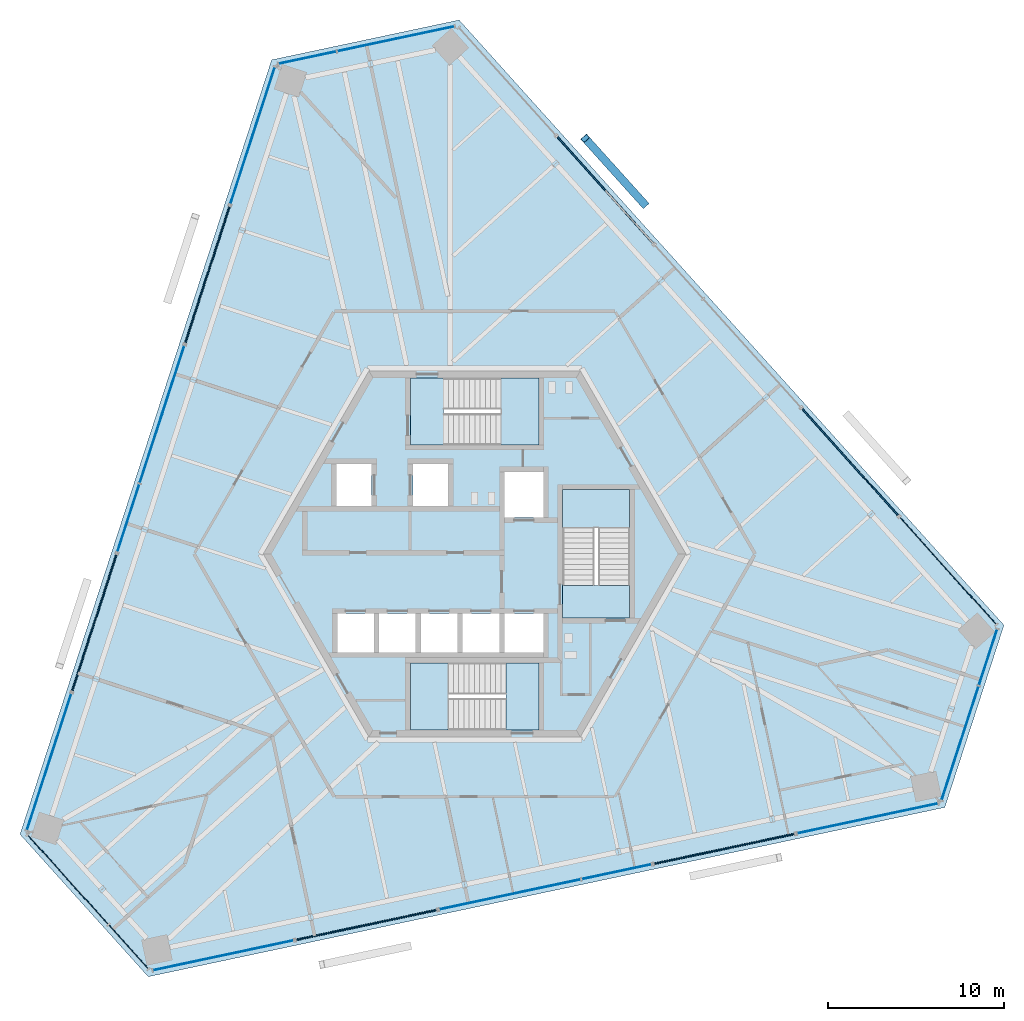
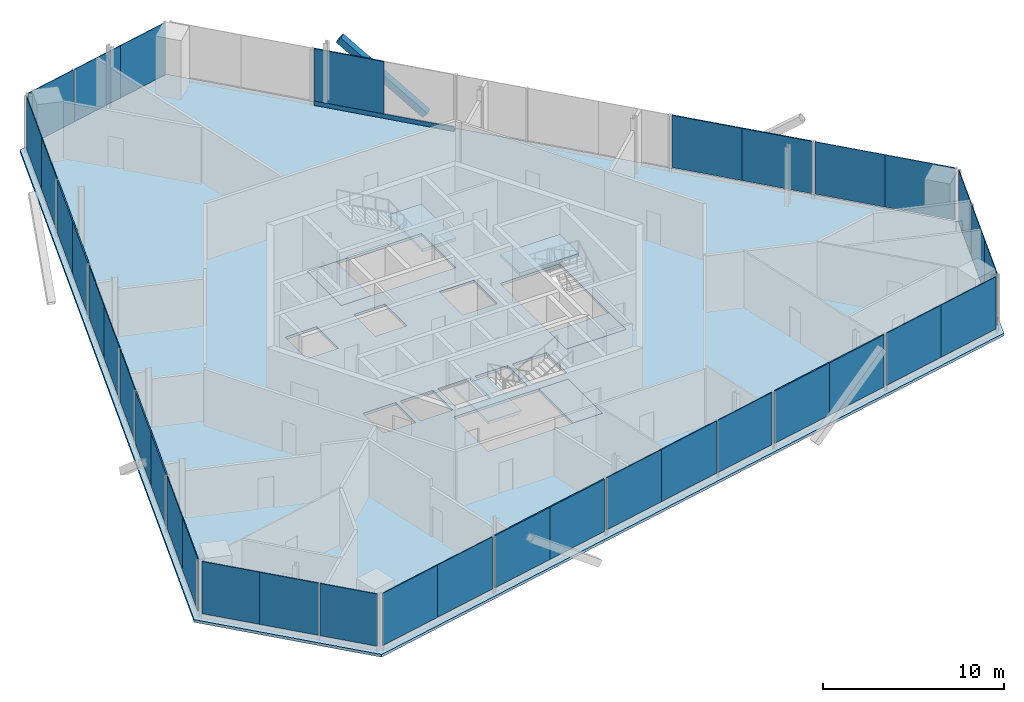
# One storey, part 8 of 14: 36 plates, 7 slabs, 2 members, 19 elements without a shape of their own.
"""IFC4 building model written with IfcOpenShell, lengths in metres."""

from ifc_helpers import new_model, si_unit, direction, frame, origin, origin_2d, place, context, subcontext, project, spatial, polyline, rectangle, hollow_rectangle, outline, extrude, source, transform, mapped, material, layer, layer_set, material_profile, profile_set, type_object, element, aggregate, save


model = new_model("IFC4")

# Units and contexts
model_context = context("Model", 3, precision=1e-05, world=origin(), true_north=direction((0.0, 1.0)))
body_context = subcontext(model_context, "Body", "Model", "MODEL_VIEW")
ifc_project = project(units=[si_unit("LENGTHUNIT", "METRE"), si_unit("AREAUNIT", "SQUARE_METRE"), si_unit("VOLUMEUNIT", "CUBIC_METRE"), si_unit("PLANEANGLEUNIT", "RADIAN"), si_unit("MASSUNIT", "GRAM", prefix="KILO")], contexts=[model_context])

# Site, building, storey
site_placement = place(None, origin())
site = spatial("IfcSite", under=ifc_project, at=site_placement, CompositionType="ELEMENT")
building_placement = place(site_placement, origin())
building = spatial("IfcBuilding", under=site, at=building_placement, Name="Triune Harvest Tower", CompositionType="ELEMENT")
storey_placement = place(building_placement, frame((0.0, 0.0, 284.699951171875)))
storey = spatial("IfcBuildingStorey", under=building, at=storey_placement, Name="L75", CompositionType="ELEMENT", Elevation=284.699951171875)

# Member
ifc_material_1 = material(Name="Steel ASTM A572 Gr 50", Category="steel")
ifc_material_profile_1 = material_profile(ifc_material_1, hollow_rectangle(XDim=0.449951171875, YDim=0.449951171875, WallThickness=0.02490234375, at=origin_2d()), Name="Box 450x450x25")
ifc_profile_set_1 = profile_set([ifc_material_profile_1], Name="Steel ASTM A572 Gr 50")
member_type_1 = type_object("IfcMemberType", Name="BR-4 Brace Box 450x450x25", PredefinedType="BRACE", material=ifc_profile_set_1)
shared_shape_1 = source(origin(), body_context, "Body", "SweptSolid", [
    extrude(hollow_rectangle(XDim=0.449951171875, YDim=0.449951171875, WallThickness=0.02490234375, at=origin_2d()), origin(), (0.0, 0.0, 1.0), 6.4326171875),
])
member_1_placement = place(storey_placement, frame((9.650390625, 19.8515625, 0.0), z_axis=(-0.524030950919, 0.581986716984, 0.621838422529), x_axis=(-0.743139899984, -0.669136076633, 0.0)))
element("IfcMember", 1, at=member_1_placement, inside=storey, type_object=member_type_1, Name="brace/B7-F1/d1/8", PredefinedType="BRACE", context=body_context, shape_type="MappedRepresentation", body=[
    mapped(shared_shape_1, transform((0.0, 0.0, 0.0), scale=1.0)),
])

# Curtain wall, member
ifc_material_2 = material(Name="Aluminium bronze anodised", Category="aluminium")
curtain_wall_type_1 = type_object("IfcCurtainWallType", Name="CW-9 Sky lobby tall glazing wall with insulated spandrel infill", PredefinedType="NOTDEFINED", material=ifc_material_2)
curtain_wall_1_placement = place(storey_placement, origin())
curtain_wall_1 = element("IfcCurtainWall", 2, at=curtain_wall_1_placement, inside=storey, type_object=curtain_wall_type_1, Name="CW-9 B7-F1 L75 run 3001")
ifc_material_3 = material(Name="Aluminium bronze anodised", Category="aluminium")
ifc_material_profile_2 = material_profile(ifc_material_3, rectangle(XDim=0.10009765625, YDim=0.300048828125, at=origin_2d()), Name="TR-4 transom 100 x 300")
ifc_profile_set_2 = profile_set([ifc_material_profile_2], Name="Aluminium bronze anodised")
member_type_2 = type_object("IfcMemberType", Name="TR-4 transom 100 x 300", PredefinedType="USERDEFINED", material=ifc_profile_set_2)
shared_shape_2 = source(origin(), body_context, "Body", "SweptSolid", [
    extrude(rectangle(XDim=0.10009765625, YDim=0.300048828125, at=origin_2d()), origin(), (0.0, 0.0, 1.0), 8.13134765625),
])
member_2_placement = place(storey_placement, frame((10.1337890625, 17.6337890625, 0.150146484375), z_axis=(-0.669148837267, 0.743128409889, 0.0), x_axis=(-0.743128409889, -0.669148837267, 0.0)))
member_2 = element("IfcMember", 3, at=member_2_placement, type_object=member_type_2, Name="CW-9 transom B7-F1 3001.1", ObjectType="TRANSOM", PredefinedType="USERDEFINED", context=body_context, shape_type="MappedRepresentation", body=[
    mapped(shared_shape_2, transform((0.0, 0.0, 0.0), scale=1.0)),
])

# Slab
ifc_material_4 = material(Name="Concrete 40 MPa", Category="concrete")
ifc_layer_1 = layer(ifc_material_4, 0.179931640625)
ifc_layer_set_1 = layer_set([ifc_layer_1], Name="Concrete 40 MPa")
slab_type_1 = type_object("IfcSlabType", Name="SL-2 Composite floor slab 180", PredefinedType="FLOOR", material=ifc_layer_set_1)
shared_shape_3 = source(origin(), body_context, "Body", "SweptSolid", [
    extrude(outline(polyline([(30.05810546875, -4.04638671875), (-0.88232421875, 30.31640625), (-11.524658203125, 28.054443359375), (-25.813720703125, -15.922607421875), (-18.533447265625, -24.0078125), (26.696044921875, -14.39404296875), (30.05810546875, -4.04638671875)]), holes=[polyline([(-5.72509765625, -5.590087890625), (-5.72509765625, -3.389892578125), (-7.800048828125, -3.389892578125), (-7.800048828125, -5.590087890625), (-5.72509765625, -5.590087890625)]), polyline([(-3.35009765625, -5.590087890625), (-3.35009765625, -3.389892578125), (-5.425048828125, -3.389892578125), (-5.425048828125, -5.590087890625), (-3.35009765625, -5.590087890625)]), polyline([(-0.97509765625, -5.590087890625), (-0.97509765625, -3.389892578125), (-3.050048828125, -3.389892578125), (-3.050048828125, -5.590087890625), (-0.97509765625, -5.590087890625)]), polyline([(1.39990234375, -5.590087890625), (1.39990234375, -3.389892578125), (-0.675048828125, -3.389892578125), (-0.675048828125, -5.590087890625), (1.39990234375, -5.590087890625)]), polyline([(3.89990234375, 2.06005859375), (3.89990234375, 4.659912109375), (1.699951171875, 4.659912109375), (1.699951171875, 2.06005859375), (3.89990234375, 2.06005859375)]), polyline([(3.89990234375, -5.590087890625), (3.89990234375, -3.389892578125), (1.699951171875, -3.389892578125), (1.699951171875, -5.590087890625), (3.89990234375, -5.590087890625)]), polyline([(-5.85009765625, 2.7099609375), (-5.85009765625, 5.110107421875), (-7.85009765625, 5.110107421875), (-7.85009765625, 2.7099609375), (-5.85009765625, 2.7099609375)]), polyline([(-1.5, 2.7099609375), (-1.5, 5.110107421875), (-3.5, 5.110107421875), (-3.5, 2.7099609375), (-1.5, 2.7099609375)]), polyline([(3.64990234375, 6.18994140625), (3.64990234375, 9.989990234375), (-3.64990234375, 9.989990234375), (-3.64990234375, 6.18994140625), (3.64990234375, 6.18994140625)]), polyline([(3.64990234375, -9.989990234375), (3.64990234375, -6.18994140625), (-3.64990234375, -6.18994140625), (-3.64990234375, -9.989990234375), (3.64990234375, -9.989990234375)]), polyline([(8.800048828125, -3.64990234375), (8.800048828125, 3.64990234375), (5.0, 3.64990234375), (5.0, -3.64990234375), (8.800048828125, -3.64990234375)])]), origin(), (0.0, 0.0, 1.0), 0.179931640625),
])
slab_1_placement = place(storey_placement, frame((0.0, 0.0, -0.179931640625)))
element("IfcSlab", 4, at=slab_1_placement, inside=storey, type_object=slab_type_1, Name="slab/L75/1", PredefinedType="FLOOR", context=body_context, shape_type="MappedRepresentation", body=[
    mapped(shared_shape_3, transform((0.0, 0.0, 0.0), scale=1.0)),
])

# Stair, slabs
ifc_material_5 = material(Name="Concrete 40 MPa", Category="concrete")
stair_type = type_object("IfcStairType", Name="Exit stair 1800 half turn", PredefinedType="HALF_TURN_STAIR", material=ifc_material_5)
stair_1_placement = place(storey_placement, origin())
stair_1 = element("IfcStair", 5, at=stair_1_placement, inside=storey, type_object=stair_type, Name="Exit stair north", PredefinedType="HALF_TURN_STAIR")
ifc_material_6 = material(Name="Concrete 40 MPa", Category="concrete")
ifc_layer_2 = layer(ifc_material_6, 0.199951171875)
ifc_layer_set_2 = layer_set([ifc_layer_2], Name="Concrete 40 MPa")
slab_type_2 = type_object("IfcSlabType", Name="Stair landing 200", PredefinedType="LANDING", material=ifc_layer_set_2)
shared_shape_4 = source(origin(), body_context, "Body", "SweptSolid", [
    extrude(outline(polyline([(1.510009765625, 6.18994140625), (3.64990234375, 6.18994140625), (3.64990234375, 9.989990234375), (1.510009765625, 9.989990234375), (1.510009765625, 6.18994140625)])), origin(), (0.0, 0.0, 1.0), 0.199951171875),
])
slab_2_placement = place(storey_placement, frame((0.0, 0.0, 1.800048828125)))
slab_2 = element("IfcSlab", 6, at=slab_2_placement, type_object=slab_type_2, Name="ST-1 landing 2", PredefinedType="LANDING", context=body_context, shape_type="MappedRepresentation", body=[
    mapped(shared_shape_4, transform((0.0, 0.0, 0.0), scale=1.0)),
])
shared_shape_5 = source(origin(), body_context, "Body", "SweptSolid", [
    extrude(outline(polyline([(-3.64990234375, 6.18994140625), (-1.780029296875, 6.18994140625), (-1.780029296875, 9.989990234375), (-3.64990234375, 9.989990234375), (-3.64990234375, 6.18994140625)])), origin(), (0.0, 0.0, 1.0), 0.199951171875),
])
slab_3_placement = place(storey_placement, frame((0.0, 0.0, -0.199951171875)))
slab_3 = element("IfcSlab", 7, at=slab_3_placement, type_object=slab_type_2, Name="ST-1 landing 1", PredefinedType="LANDING", context=body_context, shape_type="MappedRepresentation", body=[
    mapped(shared_shape_5, transform((0.0, 0.0, 0.0), scale=1.0)),
])
aggregate(stair_1, [slab_3, slab_2])

stair_2_placement = place(storey_placement, origin())
stair_2 = element("IfcStair", 8, at=stair_2_placement, inside=storey, type_object=stair_type, Name="Exit stair south", PredefinedType="HALF_TURN_STAIR")
shared_shape_6 = source(origin(), body_context, "Body", "SweptSolid", [
    extrude(outline(polyline([(-1.510009765625, -6.18994140625), (-3.64990234375, -6.18994140625), (-3.64990234375, -9.989990234375), (-1.510009765625, -9.989990234375), (-1.510009765625, -6.18994140625)])), origin(), (0.0, 0.0, 1.0), 0.199951171875),
])
slab_4_placement = place(storey_placement, frame((0.0, 0.0, 1.800048828125)))
slab_4 = element("IfcSlab", 9, at=slab_4_placement, type_object=slab_type_2, Name="ST-2 landing 2", PredefinedType="LANDING", context=body_context, shape_type="MappedRepresentation", body=[
    mapped(shared_shape_6, transform((0.0, 0.0, 0.0), scale=1.0)),
])
shared_shape_7 = source(origin(), body_context, "Body", "SweptSolid", [
    extrude(outline(polyline([(3.64990234375, -6.18994140625), (1.780029296875, -6.18994140625), (1.780029296875, -9.989990234375), (3.64990234375, -9.989990234375), (3.64990234375, -6.18994140625)])), origin(), (0.0, 0.0, 1.0), 0.199951171875),
])
slab_5_placement = place(storey_placement, frame((0.0, 0.0, -0.199951171875)))
slab_5 = element("IfcSlab", 10, at=slab_5_placement, type_object=slab_type_2, Name="ST-2 landing 1", PredefinedType="LANDING", context=body_context, shape_type="MappedRepresentation", body=[
    mapped(shared_shape_7, transform((0.0, 0.0, 0.0), scale=1.0)),
])
aggregate(stair_2, [slab_5, slab_4])

stair_3_placement = place(storey_placement, origin())
stair_3 = element("IfcStair", 11, at=stair_3_placement, inside=storey, type_object=stair_type, Name="Exit stair east", PredefinedType="HALF_TURN_STAIR")
shared_shape_8 = source(origin(), body_context, "Body", "SweptSolid", [
    extrude(outline(polyline([(8.800048828125, 1.510009765625), (8.800048828125, 3.64990234375), (5.0, 3.64990234375), (5.0, 1.510009765625), (8.800048828125, 1.510009765625)])), origin(), (0.0, 0.0, 1.0), 0.199951171875),
])
slab_6_placement = place(storey_placement, frame((0.0, 0.0, 1.800048828125)))
slab_6 = element("IfcSlab", 12, at=slab_6_placement, type_object=slab_type_2, Name="ST-3 landing 2", PredefinedType="LANDING", context=body_context, shape_type="MappedRepresentation", body=[
    mapped(shared_shape_8, transform((0.0, 0.0, 0.0), scale=1.0)),
])
shared_shape_9 = source(origin(), body_context, "Body", "SweptSolid", [
    extrude(outline(polyline([(8.800048828125, -3.64990234375), (8.800048828125, -1.780029296875), (5.0, -1.780029296875), (5.0, -3.64990234375), (8.800048828125, -3.64990234375)])), origin(), (0.0, 0.0, 1.0), 0.199951171875),
])
slab_7_placement = place(storey_placement, frame((0.0, 0.0, -0.199951171875)))
slab_7 = element("IfcSlab", 13, at=slab_7_placement, type_object=slab_type_2, Name="ST-3 landing 1", PredefinedType="LANDING", context=body_context, shape_type="MappedRepresentation", body=[
    mapped(shared_shape_9, transform((0.0, 0.0, 0.0), scale=1.0)),
])
aggregate(stair_3, [slab_7, slab_6])

# Curtain wall, plates
ifc_material_7 = material(Name="Aluminium bronze anodised", Category="aluminium")
curtain_wall_type_2 = type_object("IfcCurtainWallType", Name="CW-4 Sky lobby tall glazing wall", PredefinedType="NOTDEFINED", material=ifc_material_7)
curtain_wall_2_placement = place(storey_placement, origin())
curtain_wall_2 = element("IfcCurtainWall", 14, at=curtain_wall_2_placement, inside=storey, type_object=curtain_wall_type_2, Name="CW-4 B7-F1 L75 run 1")
ifc_material_8 = material(Name="Glass", Category="glass")
ifc_layer_3 = layer(ifc_material_8, 0.0439453125)
ifc_layer_set_3 = layer_set([ifc_layer_3], Name="Glass")
plate_type_1 = type_object("IfcPlateType", Name="GL-4 panel 44", PredefinedType="CURTAIN_PANEL", material=ifc_layer_set_3)
shared_shape_10 = source(origin(), body_context, "Body", "SweptSolid", [
    extrude(rectangle(XDim=4.065673828125, YDim=0.0439453125, at=origin_2d()), origin(), (0.0, 0.0, 1.0), 3.52001953125),
])
plate_1_placement = place(storey_placement, frame((28.23876953125, -2.473876953125, 0.300048828125), z_axis=(0.0, 0.0, 1.0), x_axis=(-0.66912643172, 0.743148584318, 0.0)))
plate_1 = element("IfcPlate", 15, at=plate_1_placement, type_object=plate_type_1, Name="CW-4 panel B7-F1 1.1", PredefinedType="CURTAIN_PANEL", context=body_context, shape_type="MappedRepresentation", body=[
    mapped(shared_shape_10, transform((0.0, 0.0, 0.0), scale=1.0)),
])
plate_2_placement = place(storey_placement, frame((25.51806640625, 0.54736328125, 0.300048828125), z_axis=(0.0, 0.0, 1.0), x_axis=(-0.66912643172, 0.743148584318, 0.0)))
plate_2 = element("IfcPlate", 16, at=plate_2_placement, type_object=plate_type_1, Name="CW-4 panel B7-F1 1.2", PredefinedType="CURTAIN_PANEL", context=body_context, shape_type="MappedRepresentation", body=[
    mapped(shared_shape_10, transform((0.0, 0.0, 0.0), scale=1.0)),
])
aggregate(curtain_wall_2, [plate_1, plate_2])

# Curtain wall, plate
curtain_wall_3_placement = place(storey_placement, origin())
curtain_wall_3 = element("IfcCurtainWall", 17, at=curtain_wall_3_placement, inside=storey, type_object=curtain_wall_type_2, Name="CW-4 B7-F3 L75 run 2001")
plate_3_placement = place(storey_placement, frame((-17.113525390625, 9.8828125, 0.300048828125), z_axis=(0.0, 0.0, 1.0), x_axis=(-0.309023862696, -0.951054284615, 0.0)))
plate_3 = element("IfcPlate", 18, at=plate_3_placement, type_object=plate_type_1, Name="CW-4 panel B7-F3 2001.1", PredefinedType="CURTAIN_PANEL", context=body_context, shape_type="MappedRepresentation", body=[
    mapped(shared_shape_10, transform((0.0, 0.0, 0.0), scale=1.0)),
])

# Curtain wall, plates
curtain_wall_4_placement = place(storey_placement, origin())
curtain_wall_4 = element("IfcCurtainWall", 19, at=curtain_wall_4_placement, inside=storey, type_object=curtain_wall_type_1, Name="CW-9 B7-F1 L75 run 1001")
ifc_material_9 = material(Name="Insulated spandrel panel, bronze aluminium pan", Category="aluminium")
ifc_layer_4 = layer(ifc_material_9, 0.080078125)
ifc_layer_set_4 = layer_set([ifc_layer_4], Name="Insulated spandrel panel, bronze aluminium pan")
plate_type_2 = type_object("IfcPlateType", Name="SP-1 insulated spandrel panel 80", PredefinedType="CURTAIN_PANEL", material=ifc_layer_set_4)
shared_shape_11 = source(origin(), body_context, "Body", "SweptSolid", [
    extrude(rectangle(XDim=4.065673828125, YDim=0.080078125, at=origin_2d()), origin(), (0.0, 0.0, 1.0), 3.52001953125),
])
plate_4_placement = place(storey_placement, frame((22.67724609375, 3.70263671875, 0.300048828125), z_axis=(0.0, 0.0, 1.0), x_axis=(-0.669141528583, 0.743134990917, 0.0)))
plate_4 = element("IfcPlate", 20, at=plate_4_placement, type_object=plate_type_2, Name="CW-9 panel B7-F1 1001.1", PredefinedType="CURTAIN_PANEL", context=body_context, shape_type="MappedRepresentation", body=[
    mapped(shared_shape_11, transform((0.0, 0.0, 0.0), scale=1.0)),
])
plate_5_placement = place(storey_placement, frame((19.95654296875, 6.72412109375, 0.300048828125), z_axis=(0.0, 0.0, 1.0), x_axis=(-0.669141528583, 0.743134990917, 0.0)))
plate_5 = element("IfcPlate", 21, at=plate_5_placement, type_object=plate_type_2, Name="CW-9 panel B7-F1 1001.2", PredefinedType="CURTAIN_PANEL", context=body_context, shape_type="MappedRepresentation", body=[
    mapped(shared_shape_11, transform((0.0, 0.0, 0.0), scale=1.0)),
])
aggregate(curtain_wall_4, [plate_4, plate_5])

# Plate
plate_6_placement = place(storey_placement, frame((6.052734375, 22.165771484375, 0.300048828125), z_axis=(0.0, 0.0, 1.0), x_axis=(-0.669141528583, 0.743134990917, 0.0)))
plate_6 = element("IfcPlate", 22, at=plate_6_placement, type_object=plate_type_2, Name="CW-9 panel B7-F1 3001.2", PredefinedType="CURTAIN_PANEL", context=body_context, shape_type="MappedRepresentation", body=[
    mapped(shared_shape_11, transform((0.0, 0.0, 0.0), scale=1.0)),
])

aggregate(curtain_wall_1, [member_2, plate_6])

# Curtain wall, plates
curtain_wall_5_placement = place(storey_placement, origin())
curtain_wall_5 = element("IfcCurtainWall", 23, at=curtain_wall_5_placement, inside=storey, type_object=curtain_wall_type_1, Name="CW-9 B7-F3 L75 run 1001")
plate_7_placement = place(storey_placement, frame((-14.545166015625, 17.78759765625, 0.300048828125), z_axis=(0.0, 0.0, 1.0), x_axis=(-0.309014250382, -0.951057407868, 0.0)))
plate_7 = element("IfcPlate", 24, at=plate_7_placement, type_object=plate_type_2, Name="CW-9 panel B7-F3 1001.1", PredefinedType="CURTAIN_PANEL", context=body_context, shape_type="MappedRepresentation", body=[
    mapped(shared_shape_11, transform((0.0, 0.0, 0.0), scale=1.0)),
])
plate_8_placement = place(storey_placement, frame((-15.801513671875, 13.9208984375, 0.300048828125), z_axis=(0.0, 0.0, 1.0), x_axis=(-0.309014250382, -0.951057407868, 0.0)))
plate_8 = element("IfcPlate", 25, at=plate_8_placement, type_object=plate_type_2, Name="CW-9 panel B7-F3 1001.2", PredefinedType="CURTAIN_PANEL", context=body_context, shape_type="MappedRepresentation", body=[
    mapped(shared_shape_11, transform((0.0, 0.0, 0.0), scale=1.0)),
])
aggregate(curtain_wall_5, [plate_7, plate_8])

curtain_wall_6_placement = place(storey_placement, origin())
curtain_wall_6 = element("IfcCurtainWall", 26, at=curtain_wall_6_placement, inside=storey, type_object=curtain_wall_type_1, Name="CW-9 B7-F3 L75 run 3001")
plate_9_placement = place(storey_placement, frame((-20.96630859375, -1.974365234375, 0.300048828125), z_axis=(0.0, 0.0, 1.0), x_axis=(-0.309014250382, -0.951057407868, 0.0)))
plate_9 = element("IfcPlate", 27, at=plate_9_placement, type_object=plate_type_2, Name="CW-9 panel B7-F3 3001.1", PredefinedType="CURTAIN_PANEL", context=body_context, shape_type="MappedRepresentation", body=[
    mapped(shared_shape_11, transform((0.0, 0.0, 0.0), scale=1.0)),
])
plate_10_placement = place(storey_placement, frame((-22.22265625, -5.841064453125, 0.300048828125), z_axis=(0.0, 0.0, 1.0), x_axis=(-0.309014250382, -0.951057407868, 0.0)))
plate_10 = element("IfcPlate", 28, at=plate_10_placement, type_object=plate_type_2, Name="CW-9 panel B7-F3 3001.2", PredefinedType="CURTAIN_PANEL", context=body_context, shape_type="MappedRepresentation", body=[
    mapped(shared_shape_11, transform((0.0, 0.0, 0.0), scale=1.0)),
])
aggregate(curtain_wall_6, [plate_9, plate_10])

curtain_wall_7_placement = place(storey_placement, origin())
curtain_wall_7 = element("IfcCurtainWall", 29, at=curtain_wall_7_placement, inside=storey, type_object=curtain_wall_type_1, Name="CW-9 B7-F5 L75 run 1001")
plate_11_placement = place(storey_placement, frame((-8.132080078125, -21.490234375, 0.300048828125), z_axis=(0.0, 0.0, 1.0), x_axis=(0.978149156661, 0.207904370622, 0.0)))
plate_11 = element("IfcPlate", 30, at=plate_11_placement, type_object=plate_type_2, Name="CW-9 panel B7-F5 1001.1", PredefinedType="CURTAIN_PANEL", context=body_context, shape_type="MappedRepresentation", body=[
    mapped(shared_shape_11, transform((0.0, 0.0, 0.0), scale=1.0)),
])
plate_12_placement = place(storey_placement, frame((-4.155029296875, -20.64501953125, 0.300048828125), z_axis=(0.0, 0.0, 1.0), x_axis=(0.978149156661, 0.207904370622, 0.0)))
plate_12 = element("IfcPlate", 31, at=plate_12_placement, type_object=plate_type_2, Name="CW-9 panel B7-F5 1001.2", PredefinedType="CURTAIN_PANEL", context=body_context, shape_type="MappedRepresentation", body=[
    mapped(shared_shape_11, transform((0.0, 0.0, 0.0), scale=1.0)),
])
aggregate(curtain_wall_7, [plate_11, plate_12])

curtain_wall_8_placement = place(storey_placement, origin())
curtain_wall_8 = element("IfcCurtainWall", 32, at=curtain_wall_8_placement, inside=storey, type_object=curtain_wall_type_1, Name="CW-9 B7-F5 L75 run 3001")
plate_13_placement = place(storey_placement, frame((12.19287109375, -17.170166015625, 0.300048828125), z_axis=(0.0, 0.0, 1.0), x_axis=(0.978149156661, 0.207904370622, 0.0)))
plate_13 = element("IfcPlate", 33, at=plate_13_placement, type_object=plate_type_2, Name="CW-9 panel B7-F5 3001.1", PredefinedType="CURTAIN_PANEL", context=body_context, shape_type="MappedRepresentation", body=[
    mapped(shared_shape_11, transform((0.0, 0.0, 0.0), scale=1.0)),
])
plate_14_placement = place(storey_placement, frame((16.169921875, -16.32470703125, 0.300048828125), z_axis=(0.0, 0.0, 1.0), x_axis=(0.978149156661, 0.207904370622, 0.0)))
plate_14 = element("IfcPlate", 34, at=plate_14_placement, type_object=plate_type_2, Name="CW-9 panel B7-F5 3001.2", PredefinedType="CURTAIN_PANEL", context=body_context, shape_type="MappedRepresentation", body=[
    mapped(shared_shape_11, transform((0.0, 0.0, 0.0), scale=1.0)),
])
aggregate(curtain_wall_8, [plate_13, plate_14])

# Plate
shared_shape_12 = source(origin(), body_context, "Body", "SweptSolid", [
    extrude(rectangle(XDim=4.11083984375, YDim=0.0439453125, at=origin_2d()), origin(), (0.0, 0.0, 1.0), 3.52001953125),
])
plate_15_placement = place(storey_placement, frame((-18.376953125, 5.99462890625, 0.300048828125), z_axis=(0.0, 0.0, 1.0), x_axis=(-0.309023862696, -0.951054284615, 0.0)))
plate_15 = element("IfcPlate", 35, at=plate_15_placement, type_object=plate_type_1, Name="CW-4 panel B7-F3 2001.2", PredefinedType="CURTAIN_PANEL", context=body_context, shape_type="MappedRepresentation", body=[
    mapped(shared_shape_12, transform((0.0, 0.0, 0.0), scale=1.0)),
])

# Curtain wall, plate
curtain_wall_9_placement = place(storey_placement, origin())
curtain_wall_9 = element("IfcCurtainWall", 36, at=curtain_wall_9_placement, inside=storey, type_object=curtain_wall_type_2, Name="CW-4 B7-F5 L75 run 2001")
plate_16_placement = place(storey_placement, frame((3.996826171875, -18.912109375, 0.300048828125), z_axis=(0.0, 0.0, 1.0), x_axis=(0.978146414344, 0.207917272266, 0.0)))
plate_16 = element("IfcPlate", 37, at=plate_16_placement, type_object=plate_type_1, Name="CW-4 panel B7-F5 2001.2", PredefinedType="CURTAIN_PANEL", context=body_context, shape_type="MappedRepresentation", body=[
    mapped(shared_shape_12, transform((0.0, 0.0, 0.0), scale=1.0)),
])

# Plate
shared_shape_13 = source(origin(), body_context, "Body", "SweptSolid", [
    extrude(rectangle(XDim=4.020751953125, YDim=0.0439453125, at=origin_2d()), origin(), (0.0, 0.0, 1.0), 3.52001953125),
])
plate_17_placement = place(storey_placement, frame((-19.6611328125, 2.042236328125, 0.300048828125), z_axis=(0.0, 0.0, 1.0), x_axis=(-0.309023862696, -0.951054284615, 0.0)))
plate_17 = element("IfcPlate", 38, at=plate_17_placement, type_object=plate_type_1, Name="CW-4 panel B7-F3 2001.3", PredefinedType="CURTAIN_PANEL", context=body_context, shape_type="MappedRepresentation", body=[
    mapped(shared_shape_13, transform((0.0, 0.0, 0.0), scale=1.0)),
])

aggregate(curtain_wall_3, [plate_3, plate_15, plate_17])

plate_18_placement = place(storey_placement, frame((8.06201171875, -18.048095703125, 0.300048828125), z_axis=(0.0, 0.0, 1.0), x_axis=(0.978146414344, 0.207917272266, 0.0)))
plate_18 = element("IfcPlate", 39, at=plate_18_placement, type_object=plate_type_1, Name="CW-4 panel B7-F5 2001.3", PredefinedType="CURTAIN_PANEL", context=body_context, shape_type="MappedRepresentation", body=[
    mapped(shared_shape_13, transform((0.0, 0.0, 0.0), scale=1.0)),
])

# Curtain wall, plate
curtain_wall_10_placement = place(storey_placement, origin())
curtain_wall_10 = element("IfcCurtainWall", 40, at=curtain_wall_10_placement, inside=storey, type_object=curtain_wall_type_2, Name="CW-4 B7-F2 L75 run 1")
shared_shape_14 = source(origin(), body_context, "Body", "SweptSolid", [
    extrude(rectangle(XDim=3.361328125, YDim=0.0439453125, at=origin_2d()), origin(), (0.0, 0.0, 1.0), 3.52001953125),
])
plate_19_placement = place(storey_placement, frame((-2.809326171875, 29.60009765625, 0.300048828125), z_axis=(0.0, 0.0, 1.0), x_axis=(-0.978149078297, -0.207904739307, 0.0)))
plate_19 = element("IfcPlate", 41, at=plate_19_placement, type_object=plate_type_1, Name="CW-4 panel B7-F2 1.1", PredefinedType="CURTAIN_PANEL", context=body_context, shape_type="MappedRepresentation", body=[
    mapped(shared_shape_14, transform((0.0, 0.0, 0.0), scale=1.0)),
])

curtain_wall_11_placement = place(storey_placement, origin())
curtain_wall_11 = element("IfcCurtainWall", 42, at=curtain_wall_11_placement, inside=storey, type_object=curtain_wall_type_2, Name="CW-4 B7-F6 L75 run 1")
plate_20_placement = place(storey_placement, frame((27.039306640625, -12.366943359375, 0.300048828125), z_axis=(0.0, 0.0, 1.0), x_axis=(0.309018882717, 0.951055902733, 0.0)))
plate_20 = element("IfcPlate", 43, at=plate_20_placement, type_object=plate_type_1, Name="CW-4 panel B7-F6 1.1", PredefinedType="CURTAIN_PANEL", context=body_context, shape_type="MappedRepresentation", body=[
    mapped(shared_shape_14, transform((0.0, 0.0, 0.0), scale=1.0)),
])

# Plate
shared_shape_15 = source(origin(), body_context, "Body", "SweptSolid", [
    extrude(rectangle(XDim=3.40625, YDim=0.0439453125, at=origin_2d()), origin(), (0.0, 0.0, 1.0), 3.52001953125),
])
plate_21_placement = place(storey_placement, frame((-6.119140625, 28.896728515625, 0.300048828125), z_axis=(0.0, 0.0, 1.0), x_axis=(-0.978149078297, -0.207904739307, 0.0)))
plate_21 = element("IfcPlate", 44, at=plate_21_placement, type_object=plate_type_1, Name="CW-4 panel B7-F2 1.2", PredefinedType="CURTAIN_PANEL", context=body_context, shape_type="MappedRepresentation", body=[
    mapped(shared_shape_15, transform((0.0, 0.0, 0.0), scale=1.0)),
])

# Curtain wall, plate
curtain_wall_12_placement = place(storey_placement, origin())
curtain_wall_12 = element("IfcCurtainWall", 45, at=curtain_wall_12_placement, inside=storey, type_object=curtain_wall_type_2, Name="CW-4 B7-F4 L75 run 1")
plate_22_placement = place(storey_placement, frame((-21.9658203125, -19.747802734375, 0.300048828125), z_axis=(0.0, 0.0, 1.0), x_axis=(0.669132031472, -0.743143542297, 0.0)))
plate_22 = element("IfcPlate", 46, at=plate_22_placement, type_object=plate_type_1, Name="CW-4 panel B7-F4 1.2", PredefinedType="CURTAIN_PANEL", context=body_context, shape_type="MappedRepresentation", body=[
    mapped(shared_shape_15, transform((0.0, 0.0, 0.0), scale=1.0)),
])

# Plate
plate_23_placement = place(storey_placement, frame((28.0849609375, -9.14892578125, 0.300048828125), z_axis=(0.0, 0.0, 1.0), x_axis=(0.309018882717, 0.951055902733, 0.0)))
plate_23 = element("IfcPlate", 47, at=plate_23_placement, type_object=plate_type_1, Name="CW-4 panel B7-F6 1.2", PredefinedType="CURTAIN_PANEL", context=body_context, shape_type="MappedRepresentation", body=[
    mapped(shared_shape_15, transform((0.0, 0.0, 0.0), scale=1.0)),
])

shared_shape_16 = source(origin(), body_context, "Body", "SweptSolid", [
    extrude(rectangle(XDim=3.316162109375, YDim=0.0439453125, at=origin_2d()), origin(), (0.0, 0.0, 1.0), 3.52001953125),
])
plate_24_placement = place(storey_placement, frame((-9.494873046875, 28.17919921875, 0.300048828125), z_axis=(0.0, 0.0, 1.0), x_axis=(-0.978149078297, -0.207904739307, 0.0)))
plate_24 = element("IfcPlate", 48, at=plate_24_placement, type_object=plate_type_1, Name="CW-4 panel B7-F2 1.3", PredefinedType="CURTAIN_PANEL", context=body_context, shape_type="MappedRepresentation", body=[
    mapped(shared_shape_16, transform((0.0, 0.0, 0.0), scale=1.0)),
])

aggregate(curtain_wall_10, [plate_19, plate_21, plate_24])

plate_25_placement = place(storey_placement, frame((-19.656494140625, -22.3125, 0.300048828125), z_axis=(0.0, 0.0, 1.0), x_axis=(0.669132031472, -0.743143542297, 0.0)))
plate_25 = element("IfcPlate", 49, at=plate_25_placement, type_object=plate_type_1, Name="CW-4 panel B7-F4 1.3", PredefinedType="CURTAIN_PANEL", context=body_context, shape_type="MappedRepresentation", body=[
    mapped(shared_shape_16, transform((0.0, 0.0, 0.0), scale=1.0)),
])

plate_26_placement = place(storey_placement, frame((29.1513671875, -5.86669921875, 0.300048828125), z_axis=(0.0, 0.0, 1.0), x_axis=(0.309018882717, 0.951055902733, 0.0)))
plate_26 = element("IfcPlate", 50, at=plate_26_placement, type_object=plate_type_1, Name="CW-4 panel B7-F6 1.3", PredefinedType="CURTAIN_PANEL", context=body_context, shape_type="MappedRepresentation", body=[
    mapped(shared_shape_16, transform((0.0, 0.0, 0.0), scale=1.0)),
])

aggregate(curtain_wall_11, [plate_20, plate_23, plate_26])

# Curtain wall, plates
curtain_wall_13_placement = place(storey_placement, origin())
curtain_wall_13 = element("IfcCurtainWall", 51, at=curtain_wall_13_placement, inside=storey, type_object=curtain_wall_type_2, Name="CW-4 B7-F3 L75 run 1")
shared_shape_17 = source(origin(), body_context, "Body", "SweptSolid", [
    extrude(rectangle(XDim=4.06591796875, YDim=0.0439453125, at=origin_2d()), origin(), (0.0, 0.0, 1.0), 3.52001953125),
])
plate_27_placement = place(storey_placement, frame((-11.976806640625, 25.6923828125, 0.300048828125), z_axis=(0.0, 0.0, 1.0), x_axis=(-0.309012828869, -0.95105786974, 0.0)))
plate_27 = element("IfcPlate", 52, at=plate_27_placement, type_object=plate_type_1, Name="CW-4 panel B7-F3 1.1", PredefinedType="CURTAIN_PANEL", context=body_context, shape_type="MappedRepresentation", body=[
    mapped(shared_shape_17, transform((0.0, 0.0, 0.0), scale=1.0)),
])
plate_28_placement = place(storey_placement, frame((-13.233154296875, 21.82568359375, 0.300048828125), z_axis=(0.0, 0.0, 1.0), x_axis=(-0.309012828869, -0.95105786974, 0.0)))
plate_28 = element("IfcPlate", 53, at=plate_28_placement, type_object=plate_type_1, Name="CW-4 panel B7-F3 1.2", PredefinedType="CURTAIN_PANEL", context=body_context, shape_type="MappedRepresentation", body=[
    mapped(shared_shape_17, transform((0.0, 0.0, 0.0), scale=1.0)),
])
aggregate(curtain_wall_13, [plate_27, plate_28])

curtain_wall_14_placement = place(storey_placement, origin())
curtain_wall_14 = element("IfcCurtainWall", 54, at=curtain_wall_14_placement, inside=storey, type_object=curtain_wall_type_2, Name="CW-4 B7-F3 L75 run 4001")
plate_29_placement = place(storey_placement, frame((-23.53466796875, -9.879150390625, 0.300048828125), z_axis=(0.0, 0.0, 1.0), x_axis=(-0.309012828869, -0.95105786974, 0.0)))
plate_29 = element("IfcPlate", 55, at=plate_29_placement, type_object=plate_type_1, Name="CW-4 panel B7-F3 4001.1", PredefinedType="CURTAIN_PANEL", context=body_context, shape_type="MappedRepresentation", body=[
    mapped(shared_shape_17, transform((0.0, 0.0, 0.0), scale=1.0)),
])
plate_30_placement = place(storey_placement, frame((-24.791015625, -13.745849609375, 0.300048828125), z_axis=(0.0, 0.0, 1.0), x_axis=(-0.309012828869, -0.95105786974, 0.0)))
plate_30 = element("IfcPlate", 56, at=plate_30_placement, type_object=plate_type_1, Name="CW-4 panel B7-F3 4001.2", PredefinedType="CURTAIN_PANEL", context=body_context, shape_type="MappedRepresentation", body=[
    mapped(shared_shape_17, transform((0.0, 0.0, 0.0), scale=1.0)),
])
aggregate(curtain_wall_14, [plate_29, plate_30])

curtain_wall_15_placement = place(storey_placement, origin())
curtain_wall_15 = element("IfcCurtainWall", 57, at=curtain_wall_15_placement, inside=storey, type_object=curtain_wall_type_2, Name="CW-4 B7-F5 L75 run 1")
plate_31_placement = place(storey_placement, frame((-16.261962890625, -23.21826171875, 0.300048828125), z_axis=(0.0, 0.0, 1.0), x_axis=(0.978147350107, 0.207912869922, 0.0)))
plate_31 = element("IfcPlate", 58, at=plate_31_placement, type_object=plate_type_1, Name="CW-4 panel B7-F5 1.1", PredefinedType="CURTAIN_PANEL", context=body_context, shape_type="MappedRepresentation", body=[
    mapped(shared_shape_17, transform((0.0, 0.0, 0.0), scale=1.0)),
])
plate_32_placement = place(storey_placement, frame((-12.284912109375, -22.373046875, 0.300048828125), z_axis=(0.0, 0.0, 1.0), x_axis=(0.978147350107, 0.207912869922, 0.0)))
plate_32 = element("IfcPlate", 59, at=plate_32_placement, type_object=plate_type_1, Name="CW-4 panel B7-F5 1.2", PredefinedType="CURTAIN_PANEL", context=body_context, shape_type="MappedRepresentation", body=[
    mapped(shared_shape_17, transform((0.0, 0.0, 0.0), scale=1.0)),
])
aggregate(curtain_wall_15, [plate_31, plate_32])

# Plate
plate_33_placement = place(storey_placement, frame((-0.002197265625, -19.76220703125, 0.300048828125), z_axis=(0.0, 0.0, 1.0), x_axis=(0.978146414344, 0.207917272266, 0.0)))
plate_33 = element("IfcPlate", 60, at=plate_33_placement, type_object=plate_type_1, Name="CW-4 panel B7-F5 2001.1", PredefinedType="CURTAIN_PANEL", context=body_context, shape_type="MappedRepresentation", body=[
    mapped(shared_shape_17, transform((0.0, 0.0, 0.0), scale=1.0)),
])

aggregate(curtain_wall_9, [plate_33, plate_16, plate_18])

# Curtain wall, plates
curtain_wall_16_placement = place(storey_placement, origin())
curtain_wall_16 = element("IfcCurtainWall", 61, at=curtain_wall_16_placement, inside=storey, type_object=curtain_wall_type_2, Name="CW-4 B7-F5 L75 run 4001")
plate_34_placement = place(storey_placement, frame((20.32275390625, -15.442138671875, 0.300048828125), z_axis=(0.0, 0.0, 1.0), x_axis=(0.978147350107, 0.207912869922, 0.0)))
plate_34 = element("IfcPlate", 62, at=plate_34_placement, type_object=plate_type_1, Name="CW-4 panel B7-F5 4001.1", PredefinedType="CURTAIN_PANEL", context=body_context, shape_type="MappedRepresentation", body=[
    mapped(shared_shape_17, transform((0.0, 0.0, 0.0), scale=1.0)),
])
plate_35_placement = place(storey_placement, frame((24.2998046875, -14.5966796875, 0.300048828125), z_axis=(0.0, 0.0, 1.0), x_axis=(0.978147350107, 0.207912869922, 0.0)))
plate_35 = element("IfcPlate", 63, at=plate_35_placement, type_object=plate_type_1, Name="CW-4 panel B7-F5 4001.2", PredefinedType="CURTAIN_PANEL", context=body_context, shape_type="MappedRepresentation", body=[
    mapped(shared_shape_17, transform((0.0, 0.0, 0.0), scale=1.0)),
])
aggregate(curtain_wall_16, [plate_34, plate_35])

# Plate
shared_shape_18 = source(origin(), body_context, "Body", "SweptSolid", [
    extrude(rectangle(XDim=3.361083984375, YDim=0.0439453125, at=origin_2d()), origin(), (0.0, 0.0, 1.0), 3.52001953125),
])
plate_36_placement = place(storey_placement, frame((-24.229736328125, -17.233154296875, 0.300048828125), z_axis=(0.0, 0.0, 1.0), x_axis=(0.669132031472, -0.743143542297, 0.0)))
plate_36 = element("IfcPlate", 64, at=plate_36_placement, type_object=plate_type_1, Name="CW-4 panel B7-F4 1.1", PredefinedType="CURTAIN_PANEL", context=body_context, shape_type="MappedRepresentation", body=[
    mapped(shared_shape_18, transform((0.0, 0.0, 0.0), scale=1.0)),
])

aggregate(curtain_wall_12, [plate_36, plate_22, plate_25])

save(model, "model.ifc")
